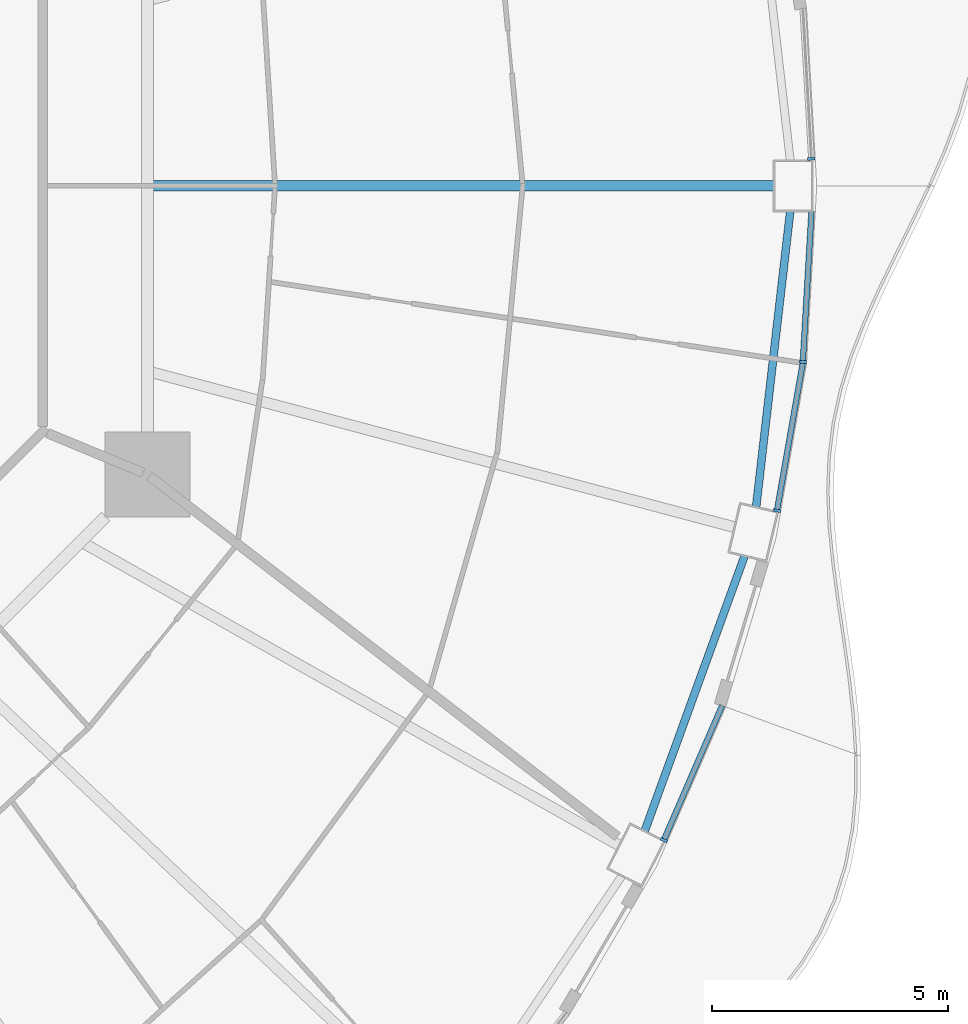
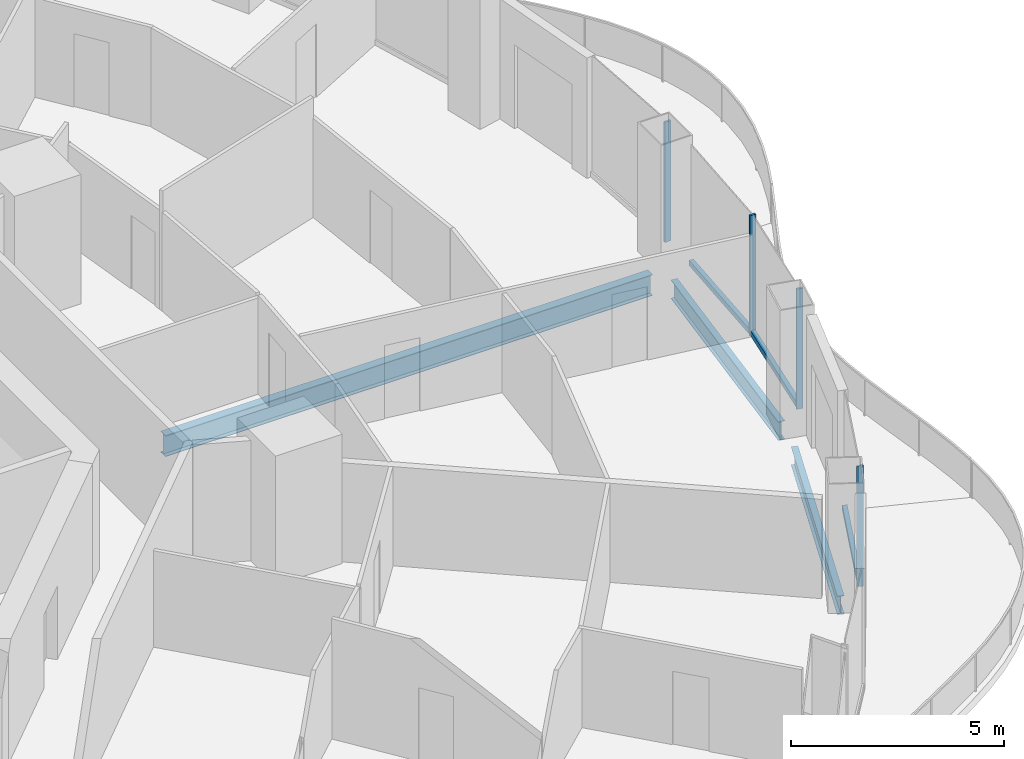
# One storey, part 5 of 19: 7 members, 3 beams, 4 elements without a shape of their own.
"""IFC4 building model written with IfcOpenShell, lengths in metres."""

from ifc_helpers import new_model, si_unit, direction, frame, origin, origin_2d, place, context, subcontext, project, spatial, rectangle, i_section, extrude, material, layer, layer_set, material_profile, profile_set, type_object, element, aggregate, save


model = new_model("IFC4")

# Units and contexts
model_context = context("Model", 3, precision=1e-05, world=origin(), true_north=direction((0.0, 1.0)))
body_context = subcontext(model_context, "Body", "Model", "MODEL_VIEW")
ifc_project = project(units=[si_unit("LENGTHUNIT", "METRE"), si_unit("AREAUNIT", "SQUARE_METRE"), si_unit("VOLUMEUNIT", "CUBIC_METRE"), si_unit("PLANEANGLEUNIT", "RADIAN"), si_unit("MASSUNIT", "GRAM", prefix="KILO")], contexts=[model_context])

# Site, building, storey
site_placement = place(None, origin())
site = spatial("IfcSite", under=ifc_project, at=site_placement, CompositionType="ELEMENT")
building_placement = place(site_placement, origin())
building = spatial("IfcBuilding", under=site, at=building_placement, Name="Nagisa Residences", CompositionType="ELEMENT")
storey_placement = place(building_placement, frame((0.0, 0.0, 188.10009765625)))
storey = spatial("IfcBuildingStorey", under=building, at=storey_placement, Name="L47", CompositionType="ELEMENT", Elevation=188.10009765625)

# Curtain wall, member
ifc_material_1 = material(Name="Concrete-coloured aluminium curtain wall system", Category="concrete")
ifc_layer = layer(ifc_material_1, 0.159912109375)
ifc_layer_set = layer_set([ifc_layer], Name="CW1 CURTAIN WALL")
curtain_wall_type = type_object("IfcCurtainWallType", Name="CW1 CURTAIN WALL", PredefinedType="NOTDEFINED", material=ifc_layer_set)
curtain_wall_1_placement = place(storey_placement, origin())
curtain_wall_1 = element("IfcCurtainWall", 1, at=curtain_wall_1_placement, inside=storey, type_object=curtain_wall_type, Name="cw:CW1:L47:00", PredefinedType="NOTDEFINED")
ifc_material_2 = material(Name="Concrete-coloured aluminium", Category="concrete")
ifc_material_profile_1 = material_profile(ifc_material_2, rectangle(XDim=0.159912109375, YDim=0.06005859375, at=origin_2d()), Name="CW1 MULLION 160x60")
ifc_profile_set_1 = profile_set([ifc_material_profile_1], Name="Concrete-coloured aluminium")
member_type_1 = type_object("IfcMemberType", Name="CW1 MULLION 160x60", PredefinedType="MULLION", material=ifc_profile_set_1)
member_1_placement = place(storey_placement, frame((28.86181640625, 0.574462890625, 0.0), z_axis=(0.0, 0.0, 1.0), x_axis=(-0.998345305184, -0.057503492216, 0.0)))
member_1 = element("IfcMember", 2, at=member_1_placement, type_object=member_type_1, Name="CW1 mullion", PredefinedType="MULLION", context=body_context, shape_type="SweptSolid", body=[
    extrude(rectangle(XDim=0.159912109375, YDim=0.06005859375, at=origin_2d()), origin(), (0.0, 0.0, 1.0), 3.43994140625),
])
aggregate(curtain_wall_1, [member_1])

curtain_wall_2_placement = place(storey_placement, origin())
curtain_wall_2 = element("IfcCurtainWall", 3, at=curtain_wall_2_placement, inside=storey, type_object=curtain_wall_type, Name="cw:CW1:L47:44", PredefinedType="NOTDEFINED")
member_2_placement = place(storey_placement, frame((25.732666015625, -13.87353515625, 0.0), z_axis=(0.0, 0.0, 1.0), x_axis=(-0.917543276295, 0.397635934147, 0.0)))
member_2 = element("IfcMember", 4, at=member_2_placement, type_object=member_type_1, Name="CW1 mullion", PredefinedType="MULLION", context=body_context, shape_type="SweptSolid", body=[
    extrude(rectangle(XDim=0.159912109375, YDim=0.06005859375, at=origin_2d()), origin(), (0.0, 0.0, 1.0), 3.43994140625),
])

curtain_wall_3_placement = place(storey_placement, origin())
curtain_wall_3 = element("IfcCurtainWall", 5, at=curtain_wall_3_placement, inside=storey, type_object=curtain_wall_type, Name="cw:CW1:L47:46", PredefinedType="NOTDEFINED")
member_3_placement = place(storey_placement, frame((28.13134765625, -6.88818359375, 0.0), z_axis=(0.0, 0.0, 1.0), x_axis=(-0.985063604377, 0.172190868898, 0.0)))
member_3 = element("IfcMember", 6, at=member_3_placement, type_object=member_type_1, Name="CW1 mullion", PredefinedType="MULLION", context=body_context, shape_type="SweptSolid", body=[
    extrude(rectangle(XDim=0.159912109375, YDim=0.06005859375, at=origin_2d()), origin(), (0.0, 0.0, 1.0), 3.43994140625),
])

curtain_wall_4_placement = place(storey_placement, origin())
curtain_wall_4 = element("IfcCurtainWall", 7, at=curtain_wall_4_placement, inside=storey, type_object=curtain_wall_type, Name="cw:CW1:L47:47", PredefinedType="NOTDEFINED")
member_4_placement = place(storey_placement, frame((28.6796875, -3.734375, 0.0), z_axis=(0.0, 0.0, 1.0), x_axis=(-0.998345305184, 0.057503492216, 0.0)))
member_4 = element("IfcMember", 8, at=member_4_placement, type_object=member_type_1, Name="CW1 mullion", PredefinedType="MULLION", context=body_context, shape_type="SweptSolid", body=[
    extrude(rectangle(XDim=0.159912109375, YDim=0.06005859375, at=origin_2d()), origin(), (0.0, 0.0, 1.0), 3.43994140625),
])

# Member
ifc_material_3 = material(Name="Concrete-coloured aluminium", Category="concrete")
ifc_material_profile_2 = material_profile(ifc_material_3, rectangle(XDim=0.1201171875, YDim=0.14990234375, at=origin_2d()), Name="CW1 TRANSOM 120x150")
ifc_profile_set_2 = profile_set([ifc_material_profile_2], Name="Concrete-coloured aluminium")
member_type_2 = type_object("IfcMemberType", Name="CW1 TRANSOM 120x150", PredefinedType="USERDEFINED", material=ifc_profile_set_2)
member_5_placement = place(storey_placement, frame((25.720703125, -13.901123046875, 0.074951171875), z_axis=(0.397592173732, 0.917562239517, 0.0), x_axis=(-0.917562239517, 0.397592173732, 0.0)))
member_5 = element("IfcMember", 9, at=member_5_placement, type_object=member_type_2, Name="CW1 transom", ObjectType="TRANSOM", PredefinedType="USERDEFINED", context=body_context, shape_type="SweptSolid", body=[
    extrude(rectangle(XDim=0.1201171875, YDim=0.14990234375, at=origin_2d()), origin(), (0.0, 0.0, 1.0), 3.14208984375),
])

aggregate(curtain_wall_2, [member_2, member_5])

member_6_placement = place(storey_placement, frame((28.126220703125, -6.917724609375, 0.074951171875), z_axis=(0.172236453102, 0.98505563509, 0.0), x_axis=(-0.98505563509, 0.172236453102, 0.0)))
member_6 = element("IfcMember", 10, at=member_6_placement, type_object=member_type_2, Name="CW1 transom", ObjectType="TRANSOM", PredefinedType="USERDEFINED", context=body_context, shape_type="SweptSolid", body=[
    extrude(rectangle(XDim=0.1201171875, YDim=0.14990234375, at=origin_2d()), origin(), (0.0, 0.0, 1.0), 3.210693359375),
])

aggregate(curtain_wall_3, [member_3, member_6])

member_7_placement = place(storey_placement, frame((28.677978515625, -3.764404296875, 0.074951171875), z_axis=(0.057528345118, 0.998343873376, 0.0), x_axis=(-0.998343873376, 0.057528345118, 0.0)))
member_7 = element("IfcMember", 11, at=member_7_placement, type_object=member_type_2, Name="CW1 transom", ObjectType="TRANSOM", PredefinedType="USERDEFINED", context=body_context, shape_type="SweptSolid", body=[
    extrude(rectangle(XDim=0.1201171875, YDim=0.14990234375, at=origin_2d()), origin(), (0.0, 0.0, 1.0), 3.225341796875),
])

aggregate(curtain_wall_4, [member_4, member_7])

# Beams
ifc_material_4 = material(Name="Steel ASTM A572 Gr 50", Category="steel")
ifc_material_profile_3 = material_profile(ifc_material_4, i_section(OverallWidth=0.166015625, OverallDepth=0.534912109375, WebThickness=0.01025390625, FlangeThickness=0.0166015625, at=origin_2d()), Name="W530x85")
ifc_profile_set_3 = profile_set([ifc_material_profile_3], Name="Steel ASTM A572 Gr 50")
beam_type_1 = type_object("IfcBeamType", Name="Perimeter ring beam W530x85", PredefinedType="BEAM", material=ifc_profile_set_3)
beam_1_placement = place(storey_placement, frame((25.32470703125, -13.685546875, -0.527587890625), z_axis=(0.341320243926, 0.939947068237, 0.0), x_axis=(-0.939947068237, 0.341320243926, 0.0)))
element("IfcBeam", 12, at=beam_1_placement, inside=storey, type_object=beam_type_1, Name="beam:L47:pb23", PredefinedType="BEAM", context=body_context, shape_type="SweptSolid", body=[
    extrude(i_section(OverallWidth=0.166015625, OverallDepth=0.534912109375, WebThickness=0.01025390625, FlangeThickness=0.0166015625, at=origin_2d()), origin(), (0.0, 0.0, 1.0), 6.212890625),
])
beam_2_placement = place(storey_placement, frame((27.688720703125, -6.813720703125, -0.527587890625), z_axis=(0.11463289794, 0.993407921606, 0.0), x_axis=(-0.993407921606, 0.11463289794, 0.0)))
element("IfcBeam", 13, at=beam_2_placement, inside=storey, type_object=beam_type_1, Name="beam:L47:pb24", PredefinedType="BEAM", context=body_context, shape_type="SweptSolid", body=[
    extrude(i_section(OverallWidth=0.166015625, OverallDepth=0.534912109375, WebThickness=0.01025390625, FlangeThickness=0.0166015625, at=origin_2d()), origin(), (0.0, 0.0, 1.0), 6.325439453125),
])
ifc_material_5 = material(Name="Steel ASTM A572 Gr 50", Category="steel")
ifc_material_profile_4 = material_profile(ifc_material_5, i_section(OverallWidth=0.22802734375, OverallDepth=0.60302734375, WebThickness=0.010498046875, FlangeThickness=0.014892578125, at=origin_2d()), Name="W610x101")
ifc_profile_set_4 = profile_set([ifc_material_profile_4], Name="Steel ASTM A572 Gr 50")
beam_type_2 = type_object("IfcBeamType", Name="Radial beam W610x101", PredefinedType="BEAM", material=ifc_profile_set_4)
beam_3_placement = place(storey_placement, frame((28.070068359375, 0.0, -0.5615234375), z_axis=(-1.0, 0.0, 0.0), x_axis=(0.0, -1.0, 0.0)))
element("IfcBeam", 14, at=beam_3_placement, inside=storey, type_object=beam_type_2, Name="beam:L47:rb01", PredefinedType="BEAM", context=body_context, shape_type="SweptSolid", body=[
    extrude(i_section(OverallWidth=0.22802734375, OverallDepth=0.60302734375, WebThickness=0.010498046875, FlangeThickness=0.014892578125, at=origin_2d()), origin(), (0.0, 0.0, 1.0), 13.180908203125),
])

save(model, "model.ifc")
